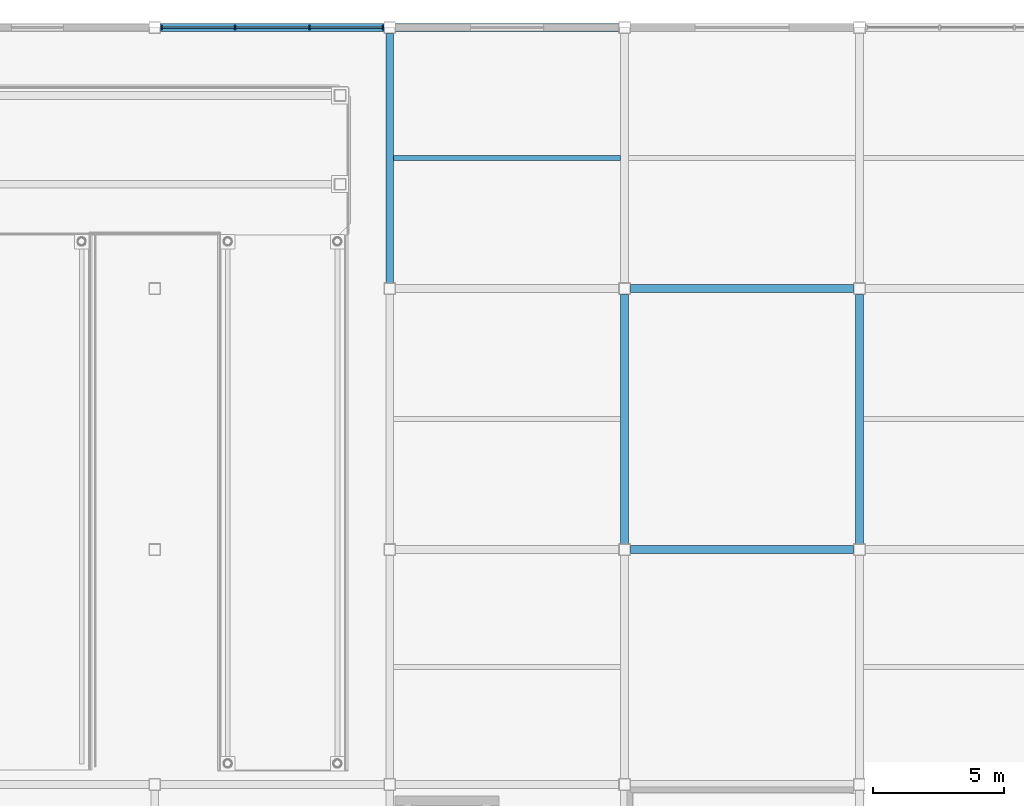
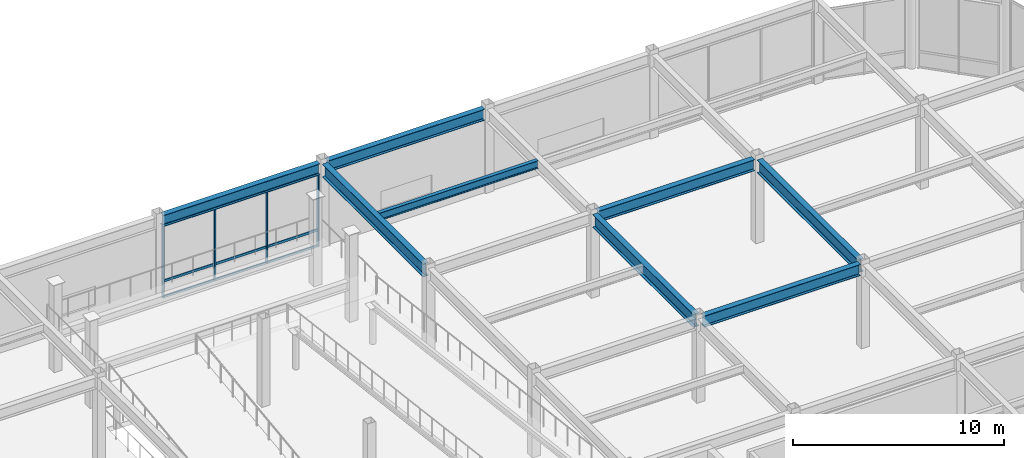
# One storey, part 52 of 123: 13 members, 8 beams, 1 element without a shape of its own.
"""IFC4 building model written with IfcOpenShell, lengths in metres."""

from ifc_helpers import new_model, si_unit, direction, frame, origin, origin_2d, place, context, subcontext, project, spatial, rectangle, i_section, extrude, material, material_profile, profile_set, type_object, element, aggregate, save


model = new_model("IFC4")

# Units and contexts
model_context = context("Model", 3, precision=1e-05, world=origin(), true_north=direction((0.0, 1.0)))
body_context = subcontext(model_context, "Body", "Model", "MODEL_VIEW")
ifc_project = project(units=[si_unit("LENGTHUNIT", "METRE"), si_unit("AREAUNIT", "SQUARE_METRE"), si_unit("VOLUMEUNIT", "CUBIC_METRE"), si_unit("PLANEANGLEUNIT", "RADIAN"), si_unit("MASSUNIT", "GRAM", prefix="KILO")], contexts=[model_context])

# Site, building, storey
site_placement = place(None, origin())
site = spatial("IfcSite", under=ifc_project, at=site_placement, CompositionType="ELEMENT")
building_placement = place(site_placement, origin())
building = spatial("IfcBuilding", under=site, at=building_placement, Name="Suzunagisa Mobility Hub", CompositionType="ELEMENT")
storey_placement = place(building_placement, origin())
storey = spatial("IfcBuildingStorey", under=building, at=storey_placement, Name="L00", CompositionType="ELEMENT", Elevation=0.0)

# Curtain wall, members
ifc_material_1 = material(Name="Thermally Broken Anodized Aluminum and Low-E Glazing", Category="aluminium")
curtain_wall_type = type_object("IfcCurtainWallType", Name="Unitised Curtain Wall CW-32 8500x4200", PredefinedType="USERDEFINED", material=ifc_material_1)
curtain_wall_placement = place(storey_placement, origin())
curtain_wall = element("IfcCurtainWall", 1, at=curtain_wall_placement, inside=storey, type_object=curtain_wall_type, Name="L00 Unitised Curtain Wall CW-98", ObjectType="UNITISED CURTAIN WALL", PredefinedType="USERDEFINED")
ifc_material_2 = material(Name="Anodized Aluminum 6063-T6", Category="aluminium")
ifc_material_profile_1 = material_profile(ifc_material_2, rectangle(XDim=0.06494140625, YDim=0.139892578125, at=origin_2d()), Name="TRAN-65x140")
ifc_profile_set_1 = profile_set([ifc_material_profile_1], Name="Anodized Aluminum 6063-T6")
member_type_1 = type_object("IfcMemberType", Name="Curtain Wall Framing CM-01 TRAN-65x140", PredefinedType="USERDEFINED", material=ifc_profile_set_1)
member_1_placement = place(storey_placement, frame((89.7119140625, 118.0, 0.032470703125), z_axis=(-1.0, 0.0, 0.0), x_axis=(0.0, -1.0, 0.0)))
member_1 = element("IfcMember", 2, at=member_1_placement, type_object=member_type_1, Name="Curtain Wall Transom 98-T1.1", ObjectType="TRANSOM", PredefinedType="USERDEFINED", context=body_context, shape_type="SweptSolid", body=[
    extrude(rectangle(XDim=0.06494140625, YDim=0.139892578125, at=origin_2d()), origin(), (0.0, 0.0, 1.0), 2.75634765625),
])
member_2_placement = place(storey_placement, frame((89.7119140625, 118.0, 0.949951171875), z_axis=(-1.0, 0.0, 0.0), x_axis=(0.0, -1.0, 0.0)))
member_2 = element("IfcMember", 3, at=member_2_placement, type_object=member_type_1, Name="Curtain Wall Transom 98-T1.2", ObjectType="TRANSOM", PredefinedType="USERDEFINED", context=body_context, shape_type="SweptSolid", body=[
    extrude(rectangle(XDim=0.06494140625, YDim=0.139892578125, at=origin_2d()), origin(), (0.0, 0.0, 1.0), 2.75634765625),
])
member_3_placement = place(storey_placement, frame((89.7119140625, 118.0, 4.157470703125), z_axis=(-1.0, 0.0, 0.0), x_axis=(0.0, -1.0, 0.0)))
member_3 = element("IfcMember", 4, at=member_3_placement, type_object=member_type_1, Name="Curtain Wall Transom 98-T1.3", ObjectType="TRANSOM", PredefinedType="USERDEFINED", context=body_context, shape_type="SweptSolid", body=[
    extrude(rectangle(XDim=0.06494140625, YDim=0.139892578125, at=origin_2d()), origin(), (0.0, 0.0, 1.0), 2.75634765625),
])
member_4_placement = place(storey_placement, frame((86.89453125, 118.0, 0.032470703125), z_axis=(-1.0, 0.0, 0.0), x_axis=(0.0, -1.0, 0.0)))
member_4 = element("IfcMember", 5, at=member_4_placement, type_object=member_type_1, Name="Curtain Wall Transom 98-T2.1", ObjectType="TRANSOM", PredefinedType="USERDEFINED", context=body_context, shape_type="SweptSolid", body=[
    extrude(rectangle(XDim=0.06494140625, YDim=0.139892578125, at=origin_2d()), origin(), (0.0, 0.0, 1.0), 2.7890625),
])
member_5_placement = place(storey_placement, frame((86.89453125, 118.0, 0.949951171875), z_axis=(-1.0, 0.0, 0.0), x_axis=(0.0, -1.0, 0.0)))
member_5 = element("IfcMember", 6, at=member_5_placement, type_object=member_type_1, Name="Curtain Wall Transom 98-T2.2", ObjectType="TRANSOM", PredefinedType="USERDEFINED", context=body_context, shape_type="SweptSolid", body=[
    extrude(rectangle(XDim=0.06494140625, YDim=0.139892578125, at=origin_2d()), origin(), (0.0, 0.0, 1.0), 2.7890625),
])
member_6_placement = place(storey_placement, frame((86.89453125, 118.0, 4.157470703125), z_axis=(-1.0, 0.0, 0.0), x_axis=(0.0, -1.0, 0.0)))
member_6 = element("IfcMember", 7, at=member_6_placement, type_object=member_type_1, Name="Curtain Wall Transom 98-T2.3", ObjectType="TRANSOM", PredefinedType="USERDEFINED", context=body_context, shape_type="SweptSolid", body=[
    extrude(rectangle(XDim=0.06494140625, YDim=0.139892578125, at=origin_2d()), origin(), (0.0, 0.0, 1.0), 2.7890625),
])
member_7_placement = place(storey_placement, frame((84.04443359375, 118.0, 0.032470703125), z_axis=(-1.0, 0.0, 0.0), x_axis=(0.0, -1.0, 0.0)))
member_7 = element("IfcMember", 8, at=member_7_placement, type_object=member_type_1, Name="Curtain Wall Transom 98-T3.1", ObjectType="TRANSOM", PredefinedType="USERDEFINED", context=body_context, shape_type="SweptSolid", body=[
    extrude(rectangle(XDim=0.06494140625, YDim=0.139892578125, at=origin_2d()), origin(), (0.0, 0.0, 1.0), 2.75634765625),
])
member_8_placement = place(storey_placement, frame((84.04443359375, 118.0, 0.949951171875), z_axis=(-1.0, 0.0, 0.0), x_axis=(0.0, -1.0, 0.0)))
member_8 = element("IfcMember", 9, at=member_8_placement, type_object=member_type_1, Name="Curtain Wall Transom 98-T3.2", ObjectType="TRANSOM", PredefinedType="USERDEFINED", context=body_context, shape_type="SweptSolid", body=[
    extrude(rectangle(XDim=0.06494140625, YDim=0.139892578125, at=origin_2d()), origin(), (0.0, 0.0, 1.0), 2.75634765625),
])
member_9_placement = place(storey_placement, frame((84.04443359375, 118.0, 4.157470703125), z_axis=(-1.0, 0.0, 0.0), x_axis=(0.0, -1.0, 0.0)))
member_9 = element("IfcMember", 10, at=member_9_placement, type_object=member_type_1, Name="Curtain Wall Transom 98-T3.3", ObjectType="TRANSOM", PredefinedType="USERDEFINED", context=body_context, shape_type="SweptSolid", body=[
    extrude(rectangle(XDim=0.06494140625, YDim=0.139892578125, at=origin_2d()), origin(), (0.0, 0.0, 1.0), 2.75634765625),
])
ifc_material_profile_2 = material_profile(ifc_material_2, rectangle(XDim=0.06494140625, YDim=0.179931640625, at=origin_2d()), Name="MULL-65x180")
ifc_profile_set_2 = profile_set([ifc_material_profile_2], Name="Anodized Aluminum 6063-T6")
member_type_2 = type_object("IfcMemberType", Name="Curtain Wall Framing CM-04 MULL-65x180", PredefinedType="MULLION", material=ifc_profile_set_2)
member_10_placement = place(storey_placement, frame((89.742431640625, 118.0, 0.0), z_axis=(0.0, 0.0, 1.0), x_axis=(-1.0, 0.0, 0.0)))
member_10 = element("IfcMember", 11, at=member_10_placement, type_object=member_type_2, Name="Curtain Wall Mullion 98-M1", PredefinedType="MULLION", context=body_context, shape_type="SweptSolid", body=[
    extrude(rectangle(XDim=0.06494140625, YDim=0.179931640625, at=origin_2d()), origin(), (0.0, 0.0, 1.0), 4.18994140625),
])
member_11_placement = place(storey_placement, frame((86.925048828125, 118.0, 0.0), z_axis=(0.0, 0.0, 1.0), x_axis=(-1.0, 0.0, 0.0)))
member_11 = element("IfcMember", 12, at=member_11_placement, type_object=member_type_2, Name="Curtain Wall Mullion 98-M2", PredefinedType="MULLION", context=body_context, shape_type="SweptSolid", body=[
    extrude(rectangle(XDim=0.06494140625, YDim=0.179931640625, at=origin_2d()), origin(), (0.0, 0.0, 1.0), 4.18994140625),
])
member_12_placement = place(storey_placement, frame((84.074951171875, 118.0, 0.0), z_axis=(0.0, 0.0, 1.0), x_axis=(-1.0, 0.0, 0.0)))
member_12 = element("IfcMember", 13, at=member_12_placement, type_object=member_type_2, Name="Curtain Wall Mullion 98-M3", PredefinedType="MULLION", context=body_context, shape_type="SweptSolid", body=[
    extrude(rectangle(XDim=0.06494140625, YDim=0.179931640625, at=origin_2d()), origin(), (0.0, 0.0, 1.0), 4.18994140625),
])
member_13_placement = place(storey_placement, frame((81.257568359375, 118.0, 0.0), z_axis=(0.0, 0.0, 1.0), x_axis=(-1.0, 0.0, 0.0)))
member_13 = element("IfcMember", 14, at=member_13_placement, type_object=member_type_2, Name="Curtain Wall Mullion 98-M4", PredefinedType="MULLION", context=body_context, shape_type="SweptSolid", body=[
    extrude(rectangle(XDim=0.06494140625, YDim=0.179931640625, at=origin_2d()), origin(), (0.0, 0.0, 1.0), 4.18994140625),
])
aggregate(curtain_wall, [member_10, member_11, member_12, member_13, member_1, member_2, member_3, member_4, member_5, member_6, member_7, member_8, member_9])

# Beams
ifc_material_3 = material(Name="Steel SN400B", Category="steel")
ifc_material_profile_3 = material_profile(ifc_material_3, i_section(OverallWidth=0.199951171875, OverallDepth=0.449951171875, WebThickness=0.009033203125, FlangeThickness=0.013916015625, FilletRadius=0.012939453125, at=origin_2d()), Name="H-450x200x9x14")
ifc_profile_set_3 = profile_set([ifc_material_profile_3], Name="Steel SN400B")
beam_type_1 = type_object("IfcBeamType", Name="Steel Beam BM-05 H-450x200x9x14", PredefinedType="JOIST", material=ifc_profile_set_3)
beam_placement = place(storey_placement, frame((90.14990234375, 113.0, 4.614990234375), z_axis=(1.0, 0.0, 0.0), x_axis=(0.0, 1.0, 0.0)))
element("IfcBeam", 15, at=beam_placement, inside=storey, type_object=beam_type_1, Name="L00 Composite Floor Joist J-792", PredefinedType="JOIST", context=body_context, shape_type="SweptSolid", body=[
    extrude(i_section(OverallWidth=0.199951171875, OverallDepth=0.449951171875, WebThickness=0.009033203125, FlangeThickness=0.013916015625, FilletRadius=0.012939453125, at=origin_2d()), origin(), (0.0, 0.0, 1.0), 8.7001953125),
])
ifc_material_4 = material(Name="Steel SN490B", Category="steel")
ifc_material_profile_4 = material_profile(ifc_material_4, i_section(OverallWidth=0.300048828125, OverallDepth=0.64990234375, WebThickness=0.012939453125, FlangeThickness=0.02197265625, FilletRadius=0.01611328125, at=origin_2d()), Name="H-650x300x13x22")
ifc_profile_set_4 = profile_set([ifc_material_profile_4], Name="Steel SN490B")
beam_type_2 = type_object("IfcBeamType", Name="Steel Beam BM-10 H-650x300x13x22", PredefinedType="BEAM", material=ifc_profile_set_4)
for number, where, z_axis, x_axis, name in (
    (16, (99.220947265625, 98.0, 4.514892578125), (1.0, 0.0, 0.0), (0.0, 1.0, 0.0), "L00 Primary Girder GX-724"),
    (17, (99.220947265625, 108.0, 4.514892578125), (1.0, 0.0, 0.0), (0.0, 1.0, 0.0), "L00 Primary Girder GX-731"),
    (18, (81.220947265625, 118.0, 4.514892578125), (1.0, 0.0, 0.0), (0.0, 1.0, 0.0), "L00 Primary Girder GX-738"),
    (19, (90.220947265625, 118.0, 4.514892578125), (1.0, 0.0, 0.0), (0.0, 1.0, 0.0), "L00 Primary Girder GX-739"),
):
    element("IfcBeam", number, at=place(storey_placement, frame(where, z_axis=z_axis, x_axis=x_axis)), inside=storey, type_object=beam_type_2, Name=name, PredefinedType="BEAM", context=body_context, shape_type="SweptSolid", body=[
        extrude(i_section(OverallWidth=0.300048828125, OverallDepth=0.64990234375, WebThickness=0.012939453125, FlangeThickness=0.02197265625, FilletRadius=0.01611328125, at=origin_2d()), origin(), (0.0, 0.0, 1.0), 8.55810546875),
    ])
ifc_material_profile_5 = material_profile(ifc_material_4, i_section(OverallWidth=0.300048828125, OverallDepth=0.75, WebThickness=0.013916015625, FlangeThickness=0.02587890625, FilletRadius=0.01806640625, at=origin_2d()), Name="H-750x300x14x26")
ifc_profile_set_5 = profile_set([ifc_material_profile_5], Name="Steel SN490B")
beam_type_3 = type_object("IfcBeamType", Name="Steel Beam BM-15 H-750x300x14x26", PredefinedType="BEAM", material=ifc_profile_set_5)
for number, where, z_axis, x_axis, name in (
    (20, (90.0, 108.220947265625, 4.465087890625), (0.0, 1.0, 0.0), (-1.0, 0.0, 0.0), "L00 Primary Girder GY-762"),
    (21, (99.0, 98.220947265625, 4.465087890625), (0.0, 1.0, 0.0), (-1.0, 0.0, 0.0), "L00 Primary Girder GY-765"),
    (22, (108.0, 98.220947265625, 4.465087890625), (0.0, 1.0, 0.0), (-1.0, 0.0, 0.0), "L00 Primary Girder GY-769"),
):
    element("IfcBeam", number, at=place(storey_placement, frame(where, z_axis=z_axis, x_axis=x_axis)), inside=storey, type_object=beam_type_3, Name=name, PredefinedType="BEAM", context=body_context, shape_type="SweptSolid", body=[
        extrude(i_section(OverallWidth=0.300048828125, OverallDepth=0.75, WebThickness=0.013916015625, FlangeThickness=0.02587890625, FilletRadius=0.01806640625, at=origin_2d()), origin(), (0.0, 0.0, 1.0), 9.55810546875),
    ])

save(model, "model.ifc")
